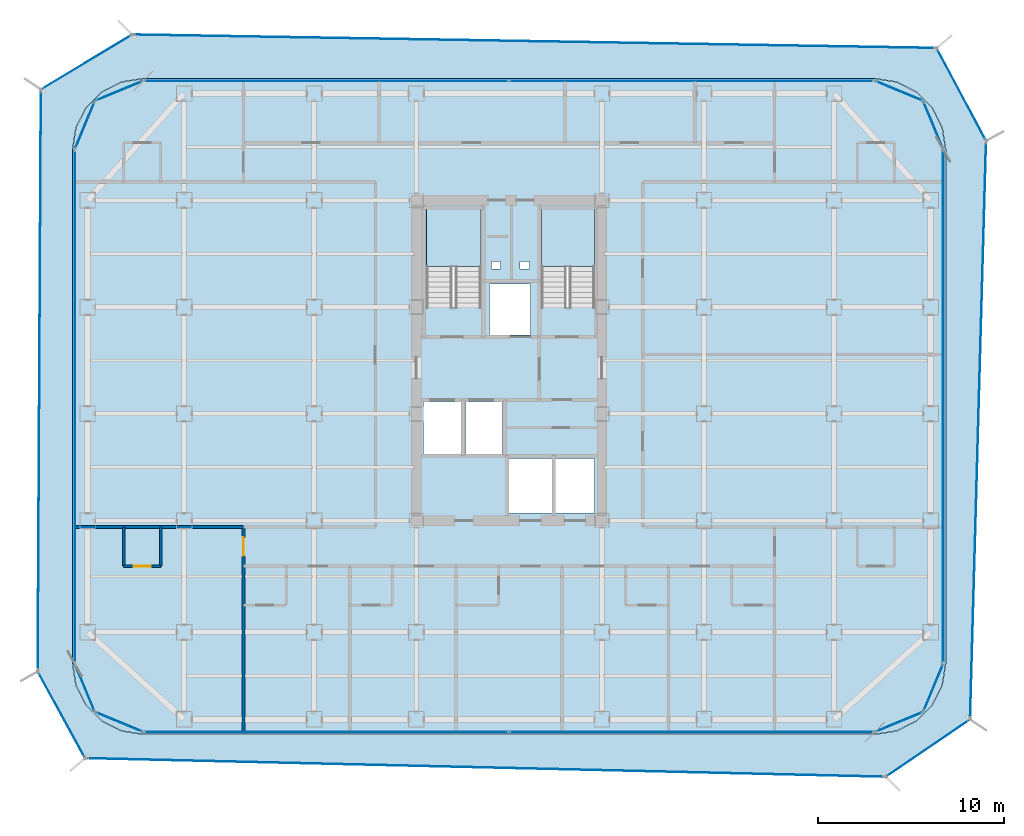
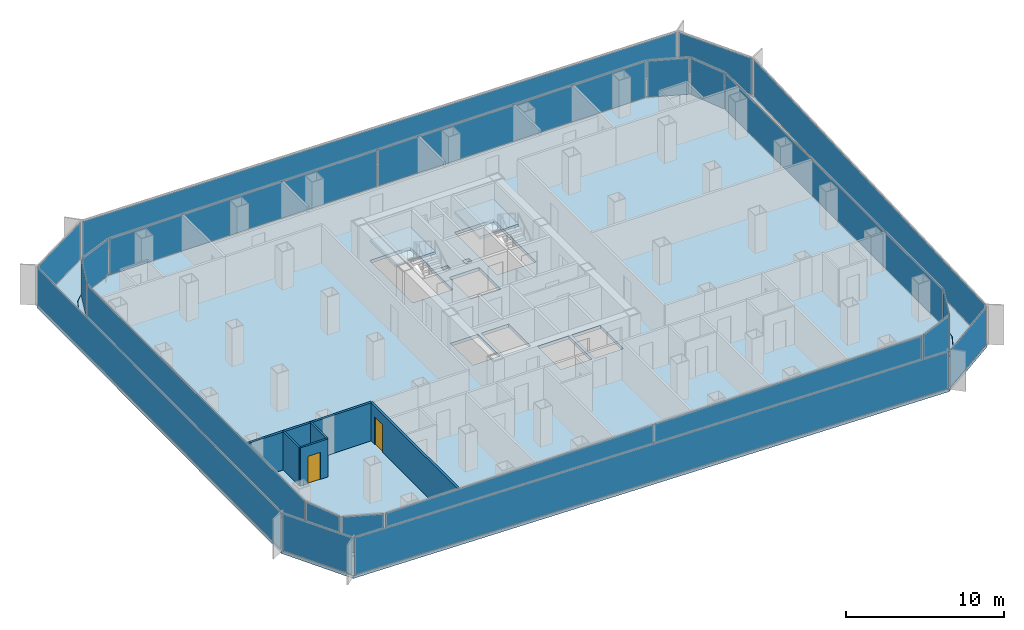
# One storey, part 15 of 21: 22 plates, 5 walls, 4 slabs, 2 doors, 2 openings, 22 elements without a shape of their own.
"""IFC4 building model written with IfcOpenShell, lengths in metres."""

from ifc_helpers import new_model, si_unit, direction, frame, frame_2d, origin, origin_2d, place, context, subcontext, project, spatial, polyline, rectangle, outline, extrude, source, transform, mapped, material, layer, layer_set, type_object, element, fill, aggregate, save


model = new_model("IFC4")

# Units and contexts
model_context = context("Model", 3, precision=1e-05, world=origin(), true_north=direction((0.0, 1.0)))
body_context = subcontext(model_context, "Body", "Model", "MODEL_VIEW")
ifc_project = project(units=[si_unit("LENGTHUNIT", "METRE"), si_unit("AREAUNIT", "SQUARE_METRE"), si_unit("VOLUMEUNIT", "CUBIC_METRE"), si_unit("PLANEANGLEUNIT", "RADIAN"), si_unit("MASSUNIT", "GRAM", prefix="KILO")], contexts=[model_context])

# Site, building, storey
site_placement = place(None, origin())
site = spatial("IfcSite", under=ifc_project, at=site_placement, CompositionType="ELEMENT")
building_placement = place(site_placement, origin())
building = spatial("IfcBuilding", under=site, at=building_placement, Name="Kolveth Station Tower", CompositionType="ELEMENT")
storey_placement = place(building_placement, frame((0.0, 0.0, 102.300048828125)))
storey = spatial("IfcBuildingStorey", under=building, at=storey_placement, Name="L27", CompositionType="ELEMENT", Elevation=102.300048828125)

# Slab
ifc_material_1 = material(Name="Concrete C40/50", Category="concrete")
ifc_layer_1 = layer(ifc_material_1, 0.25)
ifc_layer_set_1 = layer_set([ifc_layer_1], Name="Concrete C40/50")
slab_type_1 = type_object("IfcSlabType", Name="Slab_SF-250", PredefinedType="FLOOR", material=ifc_layer_set_1)
slab_1_placement = place(storey_placement, frame((0.0, 0.0, -0.25)))
element("IfcSlab", 1, at=slab_1_placement, inside=storey, type_object=slab_type_1, Name="L27 Tower Structural Floor Slab", PredefinedType="FLOOR", context=body_context, shape_type="SweptSolid", body=[
    extrude(outline(polyline([(43.199951171875, 0.0), (44.374267578125, 0.18603515625), (45.43359375, 0.7255859375), (46.2744140625, 1.56640625), (46.81396484375, 2.625732421875), (47.0, 3.800048828125), (47.0, 31.5), (46.81396484375, 32.67431640625), (46.2744140625, 33.733642578125), (45.43359375, 34.57421875), (44.374267578125, 35.114013671875), (43.199951171875, 35.300048828125), (3.800048828125, 35.300048828125), (2.625732421875, 35.114013671875), (1.56640625, 34.57421875), (0.7255859375, 33.733642578125), (0.18603515625, 32.67431640625), (0.0, 31.5), (0.0, 3.800048828125), (0.18603515625, 2.625732421875), (0.7255859375, 1.56640625), (1.56640625, 0.7255859375), (2.625732421875, 0.18603515625), (3.800048828125, 0.0), (43.199951171875, 0.0)]), holes=[polyline([(19.0400390625, 22.985107421875), (22.0, 22.985107421875), (22.0, 28.39990234375), (19.0400390625, 28.39990234375), (19.0400390625, 22.985107421875)]), polyline([(25.239990234375, 22.985107421875), (28.10009765625, 22.985107421875), (28.10009765625, 28.39990234375), (25.239990234375, 28.39990234375), (25.239990234375, 22.985107421875)]), polyline([(18.89990234375, 15.10009765625), (20.89990234375, 15.10009765625), (20.89990234375, 17.89990234375), (18.89990234375, 17.89990234375), (18.89990234375, 15.10009765625)]), polyline([(21.14990234375, 15.10009765625), (23.14990234375, 15.10009765625), (23.14990234375, 17.89990234375), (21.14990234375, 17.89990234375), (21.14990234375, 15.10009765625)]), polyline([(22.449951171875, 21.5), (24.64990234375, 21.5), (24.64990234375, 24.25), (22.449951171875, 24.25), (22.449951171875, 21.5)]), polyline([(23.5, 11.89990234375), (25.800048828125, 11.89990234375), (25.800048828125, 14.85009765625), (23.5, 14.85009765625), (23.5, 11.89990234375)]), polyline([(26.0, 11.89990234375), (28.10009765625, 11.89990234375), (28.10009765625, 14.85009765625), (26.0, 14.85009765625), (26.0, 11.89990234375)]), polyline([(22.550048828125, 25.050048828125), (23.050048828125, 25.050048828125), (23.050048828125, 25.449951171875), (22.550048828125, 25.449951171875), (22.550048828125, 25.050048828125)]), polyline([(24.10009765625, 25.050048828125), (24.60009765625, 25.050048828125), (24.60009765625, 25.449951171875), (24.10009765625, 25.449951171875), (24.10009765625, 25.050048828125)])]), origin(), (0.0, 0.0, 1.0), 0.25),
])

# Stair, slab
stair_type_1 = type_object("IfcStairType", Name="Stair_ST2", PredefinedType="HALF_TURN_STAIR", material=ifc_material_1)
stair_1_placement = place(storey_placement, origin())
stair_1 = element("IfcStair", 2, at=stair_1_placement, inside=storey, type_object=stair_type_1, Name="L27 Tower Exit Stair ST2", PredefinedType="HALF_TURN_STAIR")
ifc_layer_2 = layer(ifc_material_1, 0.18994140625)
ifc_layer_set_2 = layer_set([ifc_layer_2], Name="Concrete C40/50")
slab_type_2 = type_object("IfcSlabType", Name="Slab_SL-190", PredefinedType="LANDING", material=ifc_layer_set_2)
slab_2_placement = place(storey_placement, frame((0.0, 0.0, 1.39990234375)))
slab_2 = element("IfcSlab", 3, at=slab_2_placement, type_object=slab_type_2, Name="ST2 landing 1", PredefinedType="LANDING", context=body_context, shape_type="SweptSolid", body=[
    extrude(outline(polyline([(28.10009765625, 25.18994140625), (28.10009765625, 28.39990234375), (25.239990234375, 28.39990234375), (25.239990234375, 25.18994140625), (28.10009765625, 25.18994140625)])), origin(), (0.0, 0.0, 1.0), 0.199951171875),
])
aggregate(stair_1, [slab_2])

stair_type_2 = type_object("IfcStairType", Name="Stair_ST1", PredefinedType="HALF_TURN_STAIR", material=ifc_material_1)
stair_2_placement = place(storey_placement, origin())
stair_2 = element("IfcStair", 4, at=stair_2_placement, inside=storey, type_object=stair_type_2, Name="L27 Tower Exit Stair ST1", PredefinedType="HALF_TURN_STAIR")
ifc_layer_3 = layer(ifc_material_1, 0.205078125)
ifc_layer_set_3 = layer_set([ifc_layer_3], Name="Concrete C40/50")
slab_type_3 = type_object("IfcSlabType", Name="Slab_SL-205", PredefinedType="LANDING", material=ifc_layer_set_3)
slab_3_placement = place(storey_placement, frame((0.0, 0.0, 1.39990234375)))
slab_3 = element("IfcSlab", 5, at=slab_3_placement, type_object=slab_type_3, Name="ST1 landing 1", PredefinedType="LANDING", context=body_context, shape_type="SweptSolid", body=[
    extrude(outline(polyline([(22.0, 25.18994140625), (22.0, 28.39990234375), (19.0400390625, 28.39990234375), (19.0400390625, 25.18994140625), (22.0, 25.18994140625)])), origin(), (0.0, 0.0, 1.0), 0.199951171875),
])
aggregate(stair_2, [slab_3])

# Slab
ifc_layer_4 = layer(ifc_material_1, 0.2099609375)
ifc_layer_set_4 = layer_set([ifc_layer_4], Name="Concrete C40/50")
slab_type_4 = type_object("IfcSlabType", Name="Slab_ST-210", PredefinedType="FLOOR", material=ifc_layer_set_4)
slab_4_placement = place(storey_placement, frame((0.0, 0.0, -0.2099609375)))
element("IfcSlab", 6, at=slab_4_placement, inside=storey, type_object=slab_type_4, Name="L27 Double-Skin Cavity Structural Ledger Ring", PredefinedType="FLOOR", context=body_context, shape_type="SweptSolid", body=[
    extrude(outline(polyline([(0.6787109375, -1.293701171875), (-1.877197265625, 3.384033203125), (-1.705810546875, 34.716064453125), (3.208984375, 37.673095703125), (46.52392578125, 36.948974609375), (49.189697265625, 31.955322265625), (48.327880859375, 0.801513671875), (43.781494140625, -2.29541015625), (0.6787109375, -1.293701171875)]), holes=[polyline([(43.202392578125, -0.014892578125), (44.376708984375, 0.171142578125), (44.381103515625, 0.172607421875), (45.4404296875, 0.71240234375), (45.444091796875, 0.715087890625), (46.284912109375, 1.555908203125), (46.28759765625, 1.5595703125), (46.827392578125, 2.618896484375), (46.828857421875, 2.623291015625), (47.014892578125, 3.797607421875), (47.014892578125, 3.800048828125), (47.014892578125, 31.5), (47.014892578125, 31.502197265625), (46.828857421875, 32.676513671875), (46.827392578125, 32.68115234375), (46.28759765625, 33.740478515625), (46.284912109375, 33.744140625), (45.444091796875, 34.5849609375), (45.4404296875, 34.587646484375), (44.381103515625, 35.12744140625), (44.376708984375, 35.12890625), (43.202392578125, 35.314697265625), (43.199951171875, 35.31494140625), (3.800048828125, 35.31494140625), (3.797607421875, 35.314697265625), (2.623291015625, 35.12890625), (2.618896484375, 35.12744140625), (1.5595703125, 34.587646484375), (1.555908203125, 34.5849609375), (0.715087890625, 33.744140625), (0.71240234375, 33.740478515625), (0.172607421875, 32.68115234375), (0.171142578125, 32.676513671875), (-0.014892578125, 31.502197265625), (-0.014892578125, 31.5), (-0.014892578125, 3.800048828125), (-0.014892578125, 3.797607421875), (0.171142578125, 2.623291015625), (0.172607421875, 2.618896484375), (0.71240234375, 1.5595703125), (0.715087890625, 1.555908203125), (1.555908203125, 0.715087890625), (1.5595703125, 0.71240234375), (2.618896484375, 0.172607421875), (2.623291015625, 0.171142578125), (3.797607421875, -0.014892578125), (3.800048828125, -0.014892578125), (43.199951171875, -0.014892578125), (43.202392578125, -0.014892578125)])]), origin(), (0.0, 0.0, 1.0), 0.2099609375),
])

# Curtain wall, plate
ifc_material_2 = material(Name="Aluminium 6063-T6 and low-E dark glass", Category="aluminium")
ifc_layer_5 = layer(ifc_material_2, 0.18994140625)
ifc_layer_set_5 = layer_set([ifc_layer_5], Name="Aluminium 6063-T6 and low-E dark glass")
curtain_wall_type_1 = type_object("IfcCurtainWallType", Name="CurtainWall_CW-Z2", PredefinedType="NOTDEFINED", material=ifc_layer_set_5)
curtain_wall_1_placement = place(storey_placement, origin())
curtain_wall_1 = element("IfcCurtainWall", 7, at=curtain_wall_1_placement, inside=storey, type_object=curtain_wall_type_1, Name="L27 Inner Thermal Curtain Wall 1", PredefinedType="NOTDEFINED")
ifc_material_3 = material(Name="Architectural low-E dark glass", Category="glass")
ifc_layer_6 = layer(ifc_material_3, 0.0380859375)
ifc_layer_set_6 = layer_set([ifc_layer_6], Name="Architectural low-E dark glass")
plate_type_1 = type_object("IfcPlateType", Name="Panel_GL2", PredefinedType="CURTAIN_PANEL", material=ifc_layer_set_6)
shared_shape_1 = source(origin(), body_context, "Body", "SweptSolid", [
    extrude(rectangle(XDim=2.670654296875, YDim=0.0380859375, at=origin_2d()), origin(), (0.0, 0.0, 1.0), 2.803955078125),
])
plate_1_placement = place(storey_placement, frame((44.501220703125, 0.658935546875, 0.07275390625), z_axis=(0.0, 0.0, 1.0), x_axis=(0.923887883787, 0.38266326998, 0.0)))
plate_1 = element("IfcPlate", 8, at=plate_1_placement, type_object=plate_type_1, Name="CW-Z2 panel 1.1", PredefinedType="CURTAIN_PANEL", context=body_context, shape_type="MappedRepresentation", body=[
    mapped(shared_shape_1, transform((0.0, 0.0, 0.0), x_axis=(1.0, 0.0, 0.0), y_axis=(0.0, 1.0, 0.0), z_axis=(0.0, 0.0, 1.0), scale=1.0)),
])
aggregate(curtain_wall_1, [plate_1])

curtain_wall_2_placement = place(storey_placement, origin())
curtain_wall_2 = element("IfcCurtainWall", 9, at=curtain_wall_2_placement, inside=storey, type_object=curtain_wall_type_1, Name="L27 Inner Thermal Curtain Wall 2", PredefinedType="NOTDEFINED")
plate_2_placement = place(storey_placement, frame((46.341064453125, 2.498779296875, 0.07275390625), z_axis=(0.0, 0.0, 1.0), x_axis=(0.38266326998, 0.923887883787, 0.0)))
plate_2 = element("IfcPlate", 10, at=plate_2_placement, type_object=plate_type_1, Name="CW-Z2 panel 1.1", PredefinedType="CURTAIN_PANEL", context=body_context, shape_type="MappedRepresentation", body=[
    mapped(shared_shape_1, transform((0.0, 0.0, 0.0), x_axis=(1.0, 0.0, 0.0), y_axis=(0.0, 1.0, 0.0), z_axis=(0.0, 0.0, 1.0), scale=1.0)),
])
aggregate(curtain_wall_2, [plate_2])

curtain_wall_3_placement = place(storey_placement, origin())
curtain_wall_3 = element("IfcCurtainWall", 11, at=curtain_wall_3_placement, inside=storey, type_object=curtain_wall_type_1, Name="L27 Inner Thermal Curtain Wall 4", PredefinedType="NOTDEFINED")
plate_3_placement = place(storey_placement, frame((46.341064453125, 32.801025390625, 0.07275390625), z_axis=(0.0, 0.0, 1.0), x_axis=(-0.38266326998, 0.923887883787, 0.0)))
plate_3 = element("IfcPlate", 12, at=plate_3_placement, type_object=plate_type_1, Name="CW-Z2 panel 1.1", PredefinedType="CURTAIN_PANEL", context=body_context, shape_type="MappedRepresentation", body=[
    mapped(shared_shape_1, transform((0.0, 0.0, 0.0), x_axis=(1.0, 0.0, 0.0), y_axis=(0.0, 1.0, 0.0), z_axis=(0.0, 0.0, 1.0), scale=1.0)),
])
aggregate(curtain_wall_3, [plate_3])

curtain_wall_4_placement = place(storey_placement, origin())
curtain_wall_4 = element("IfcCurtainWall", 13, at=curtain_wall_4_placement, inside=storey, type_object=curtain_wall_type_1, Name="L27 Inner Thermal Curtain Wall 5", PredefinedType="NOTDEFINED")
plate_4_placement = place(storey_placement, frame((44.501220703125, 34.64111328125, 0.07275390625), z_axis=(0.0, 0.0, 1.0), x_axis=(-0.923887883787, 0.38266326998, 0.0)))
plate_4 = element("IfcPlate", 14, at=plate_4_placement, type_object=plate_type_1, Name="CW-Z2 panel 1.1", PredefinedType="CURTAIN_PANEL", context=body_context, shape_type="MappedRepresentation", body=[
    mapped(shared_shape_1, transform((0.0, 0.0, 0.0), x_axis=(1.0, 0.0, 0.0), y_axis=(0.0, 1.0, 0.0), z_axis=(0.0, 0.0, 1.0), scale=1.0)),
])
aggregate(curtain_wall_4, [plate_4])

curtain_wall_5_placement = place(storey_placement, origin())
curtain_wall_5 = element("IfcCurtainWall", 15, at=curtain_wall_5_placement, inside=storey, type_object=curtain_wall_type_1, Name="L27 Inner Thermal Curtain Wall 7", PredefinedType="NOTDEFINED")
plate_5_placement = place(storey_placement, frame((2.498779296875, 34.64111328125, 0.07275390625), z_axis=(0.0, 0.0, 1.0), x_axis=(-0.923887883787, -0.38266326998, 0.0)))
plate_5 = element("IfcPlate", 16, at=plate_5_placement, type_object=plate_type_1, Name="CW-Z2 panel 1.1", PredefinedType="CURTAIN_PANEL", context=body_context, shape_type="MappedRepresentation", body=[
    mapped(shared_shape_1, transform((0.0, 0.0, 0.0), x_axis=(1.0, 0.0, 0.0), y_axis=(0.0, 1.0, 0.0), z_axis=(0.0, 0.0, 1.0), scale=1.0)),
])
aggregate(curtain_wall_5, [plate_5])

curtain_wall_6_placement = place(storey_placement, origin())
curtain_wall_6 = element("IfcCurtainWall", 17, at=curtain_wall_6_placement, inside=storey, type_object=curtain_wall_type_1, Name="L27 Inner Thermal Curtain Wall 8", PredefinedType="NOTDEFINED")
plate_6_placement = place(storey_placement, frame((0.658935546875, 32.801025390625, 0.07275390625), z_axis=(0.0, 0.0, 1.0), x_axis=(-0.38266326998, -0.923887883787, 0.0)))
plate_6 = element("IfcPlate", 18, at=plate_6_placement, type_object=plate_type_1, Name="CW-Z2 panel 1.1", PredefinedType="CURTAIN_PANEL", context=body_context, shape_type="MappedRepresentation", body=[
    mapped(shared_shape_1, transform((0.0, 0.0, 0.0), x_axis=(1.0, 0.0, 0.0), y_axis=(0.0, 1.0, 0.0), z_axis=(0.0, 0.0, 1.0), scale=1.0)),
])
aggregate(curtain_wall_6, [plate_6])

curtain_wall_7_placement = place(storey_placement, origin())
curtain_wall_7 = element("IfcCurtainWall", 19, at=curtain_wall_7_placement, inside=storey, type_object=curtain_wall_type_1, Name="L27 Inner Thermal Curtain Wall 10", PredefinedType="NOTDEFINED")
plate_7_placement = place(storey_placement, frame((0.658935546875, 2.498779296875, 0.07275390625), z_axis=(0.0, 0.0, 1.0), x_axis=(0.38266326998, -0.923887883787, 0.0)))
plate_7 = element("IfcPlate", 20, at=plate_7_placement, type_object=plate_type_1, Name="CW-Z2 panel 1.1", PredefinedType="CURTAIN_PANEL", context=body_context, shape_type="MappedRepresentation", body=[
    mapped(shared_shape_1, transform((0.0, 0.0, 0.0), x_axis=(1.0, 0.0, 0.0), y_axis=(0.0, 1.0, 0.0), z_axis=(0.0, 0.0, 1.0), scale=1.0)),
])
aggregate(curtain_wall_7, [plate_7])

curtain_wall_8_placement = place(storey_placement, origin())
curtain_wall_8 = element("IfcCurtainWall", 21, at=curtain_wall_8_placement, inside=storey, type_object=curtain_wall_type_1, Name="L27 Inner Thermal Curtain Wall 11", PredefinedType="NOTDEFINED")
plate_8_placement = place(storey_placement, frame((2.498779296875, 0.658935546875, 0.07275390625), z_axis=(0.0, 0.0, 1.0), x_axis=(0.923887883787, -0.38266326998, 0.0)))
plate_8 = element("IfcPlate", 22, at=plate_8_placement, type_object=plate_type_1, Name="CW-Z2 panel 1.1", PredefinedType="CURTAIN_PANEL", context=body_context, shape_type="MappedRepresentation", body=[
    mapped(shared_shape_1, transform((0.0, 0.0, 0.0), x_axis=(1.0, 0.0, 0.0), y_axis=(0.0, 1.0, 0.0), z_axis=(0.0, 0.0, 1.0), scale=1.0)),
])
aggregate(curtain_wall_8, [plate_8])

curtain_wall_9_placement = place(storey_placement, origin())
curtain_wall_9 = element("IfcCurtainWall", 23, at=curtain_wall_9_placement, inside=storey, type_object=curtain_wall_type_1, Name="L27 Inner Thermal Curtain Wall 3", PredefinedType="NOTDEFINED")
shared_shape_2 = source(origin(), body_context, "Body", "SweptSolid", [
    extrude(rectangle(XDim=27.553955078125, YDim=0.0380859375, at=origin_2d()), origin(), (0.0, 0.0, 1.0), 2.803955078125),
])
plate_9_placement = place(storey_placement, frame((46.8798828125, 17.64990234375, 0.07275390625), z_axis=(0.0, 0.0, 1.0), x_axis=(0.0, 1.0, 0.0)))
plate_9 = element("IfcPlate", 24, at=plate_9_placement, type_object=plate_type_1, Name="CW-Z2 panel 1.1", PredefinedType="CURTAIN_PANEL", context=body_context, shape_type="MappedRepresentation", body=[
    mapped(shared_shape_2, transform((0.0, 0.0, 0.0), x_axis=(1.0, 0.0, 0.0), y_axis=(0.0, 1.0, 0.0), z_axis=(0.0, 0.0, 1.0), scale=1.0)),
])
aggregate(curtain_wall_9, [plate_9])

curtain_wall_10_placement = place(storey_placement, origin())
curtain_wall_10 = element("IfcCurtainWall", 25, at=curtain_wall_10_placement, inside=storey, type_object=curtain_wall_type_1, Name="L27 Inner Thermal Curtain Wall 9", PredefinedType="NOTDEFINED")
plate_10_placement = place(storey_placement, frame((0.1201171875, 17.64990234375, 0.07275390625), z_axis=(0.0, 0.0, 1.0), x_axis=(0.0, -1.0, 0.0)))
plate_10 = element("IfcPlate", 26, at=plate_10_placement, type_object=plate_type_1, Name="CW-Z2 panel 1.1", PredefinedType="CURTAIN_PANEL", context=body_context, shape_type="MappedRepresentation", body=[
    mapped(shared_shape_2, transform((0.0, 0.0, 0.0), x_axis=(1.0, 0.0, 0.0), y_axis=(0.0, 1.0, 0.0), z_axis=(0.0, 0.0, 1.0), scale=1.0)),
])
aggregate(curtain_wall_10, [plate_10])

# Curtain wall, plates
curtain_wall_11_placement = place(storey_placement, origin())
curtain_wall_11 = element("IfcCurtainWall", 27, at=curtain_wall_11_placement, inside=storey, type_object=curtain_wall_type_1, Name="L27 Inner Thermal Curtain Wall 6", PredefinedType="NOTDEFINED")
shared_shape_3 = source(origin(), body_context, "Body", "SweptSolid", [
    extrude(rectangle(XDim=19.593994140625, YDim=0.0380859375, at=origin_2d()), origin(), (0.0, 0.0, 1.0), 2.803955078125),
])
plate_11_placement = place(storey_placement, frame((33.330078125, 35.179931640625, 0.07275390625), z_axis=(0.0, 0.0, 1.0), x_axis=(-1.0, 0.0, 0.0)))
plate_11 = element("IfcPlate", 28, at=plate_11_placement, type_object=plate_type_1, Name="CW-Z2 panel 1.1", PredefinedType="CURTAIN_PANEL", context=body_context, shape_type="MappedRepresentation", body=[
    mapped(shared_shape_3, transform((0.0, 0.0, 0.0), x_axis=(1.0, 0.0, 0.0), y_axis=(0.0, 1.0, 0.0), z_axis=(0.0, 0.0, 1.0), scale=1.0)),
])
plate_12_placement = place(storey_placement, frame((13.669921875, 35.179931640625, 0.07275390625), z_axis=(0.0, 0.0, 1.0), x_axis=(-1.0, 0.0, 0.0)))
plate_12 = element("IfcPlate", 29, at=plate_12_placement, type_object=plate_type_1, Name="CW-Z2 panel 2.1", PredefinedType="CURTAIN_PANEL", context=body_context, shape_type="MappedRepresentation", body=[
    mapped(shared_shape_3, transform((0.0, 0.0, 0.0), x_axis=(1.0, 0.0, 0.0), y_axis=(0.0, 1.0, 0.0), z_axis=(0.0, 0.0, 1.0), scale=1.0)),
])
aggregate(curtain_wall_11, [plate_11, plate_12])

curtain_wall_12_placement = place(storey_placement, origin())
curtain_wall_12 = element("IfcCurtainWall", 30, at=curtain_wall_12_placement, inside=storey, type_object=curtain_wall_type_1, Name="L27 Inner Thermal Curtain Wall 12", PredefinedType="NOTDEFINED")
plate_13_placement = place(storey_placement, frame((13.669921875, 0.1201171875, 0.07275390625), z_axis=(0.0, 0.0, 1.0), x_axis=(1.0, 0.0, 0.0)))
plate_13 = element("IfcPlate", 31, at=plate_13_placement, type_object=plate_type_1, Name="CW-Z2 panel 1.1", PredefinedType="CURTAIN_PANEL", context=body_context, shape_type="MappedRepresentation", body=[
    mapped(shared_shape_3, transform((0.0, 0.0, 0.0), x_axis=(1.0, 0.0, 0.0), y_axis=(0.0, 1.0, 0.0), z_axis=(0.0, 0.0, 1.0), scale=1.0)),
])
plate_14_placement = place(storey_placement, frame((33.330078125, 0.1201171875, 0.07275390625), z_axis=(0.0, 0.0, 1.0), x_axis=(1.0, 0.0, 0.0)))
plate_14 = element("IfcPlate", 32, at=plate_14_placement, type_object=plate_type_1, Name="CW-Z2 panel 2.1", PredefinedType="CURTAIN_PANEL", context=body_context, shape_type="MappedRepresentation", body=[
    mapped(shared_shape_3, transform((0.0, 0.0, 0.0), x_axis=(1.0, 0.0, 0.0), y_axis=(0.0, 1.0, 0.0), z_axis=(0.0, 0.0, 1.0), scale=1.0)),
])
aggregate(curtain_wall_12, [plate_13, plate_14])

# Curtain wall, plate
ifc_material_4 = material(Name="Black anodized aluminium 6063-T6 and dark solar glass", Category="aluminium")
ifc_layer_7 = layer(ifc_material_4, 0.159912109375)
ifc_layer_set_7 = layer_set([ifc_layer_7], Name="Black anodized aluminium 6063-T6 and dark solar glass")
curtain_wall_type_2 = type_object("IfcCurtainWallType", Name="OUTER SKIN CW-OS", PredefinedType="NOTDEFINED", material=ifc_layer_set_7)
curtain_wall_13_placement = place(storey_placement, origin())
curtain_wall_13 = element("IfcCurtainWall", 33, at=curtain_wall_13_placement, inside=storey, type_object=curtain_wall_type_2, Name="L27 Outer Ventilated Skin Curtain Wall 1", PredefinedType="NOTDEFINED")
ifc_layer_8 = layer(ifc_material_3, 0.028076171875)
ifc_layer_set_8 = layer_set([ifc_layer_8], Name="Architectural low-E dark glass")
plate_type_2 = type_object("IfcPlateType", Name="Panel_GL-OS", PredefinedType="CURTAIN_PANEL", material=ifc_layer_set_8)
shared_shape_4 = source(origin(), body_context, "Body", "SweptSolid", [
    extrude(rectangle(XDim=5.335205078125, YDim=0.028076171875, at=origin_2d()), origin(), (0.0, 0.0, 1.0), 2.843994140625),
])
plate_15_placement = place(storey_placement, frame((46.0546875, -0.746826171875, 0.07275390625), z_axis=(0.0, 0.0, 1.0), x_axis=(0.826485697742, 0.562957717264, 0.0)))
plate_15 = element("IfcPlate", 34, at=plate_15_placement, type_object=plate_type_2, Name="CW-OS panel 1.1", PredefinedType="CURTAIN_PANEL", context=body_context, shape_type="MappedRepresentation", body=[
    mapped(shared_shape_4, transform((0.0, 0.0, 0.0), x_axis=(1.0, 0.0, 0.0), y_axis=(0.0, 1.0, 0.0), z_axis=(0.0, 0.0, 1.0), scale=1.0)),
])
aggregate(curtain_wall_13, [plate_15])

curtain_wall_14_placement = place(storey_placement, origin())
curtain_wall_14 = element("IfcCurtainWall", 35, at=curtain_wall_14_placement, inside=storey, type_object=curtain_wall_type_2, Name="L27 Outer Ventilated Skin Curtain Wall 2", PredefinedType="NOTDEFINED")
shared_shape_5 = source(origin(), body_context, "Body", "SweptSolid", [
    extrude(rectangle(XDim=30.999755859375, YDim=0.028076171875, at=origin_2d()), origin(), (0.0, 0.0, 1.0), 2.843994140625),
])
plate_16_placement = place(storey_placement, frame((48.7587890625, 16.37841796875, 0.07275390625), z_axis=(0.0, 0.0, 1.0), x_axis=(0.027648972742, 0.999617694074, 0.0)))
plate_16 = element("IfcPlate", 36, at=plate_16_placement, type_object=plate_type_2, Name="CW-OS panel 1.1", PredefinedType="CURTAIN_PANEL", context=body_context, shape_type="MappedRepresentation", body=[
    mapped(shared_shape_5, transform((0.0, 0.0, 0.0), x_axis=(1.0, 0.0, 0.0), y_axis=(0.0, 1.0, 0.0), z_axis=(0.0, 0.0, 1.0), scale=1.0)),
])
aggregate(curtain_wall_14, [plate_16])

curtain_wall_15_placement = place(storey_placement, origin())
curtain_wall_15 = element("IfcCurtainWall", 37, at=curtain_wall_15_placement, inside=storey, type_object=curtain_wall_type_2, Name="L27 Outer Ventilated Skin Curtain Wall 3", PredefinedType="NOTDEFINED")
shared_shape_6 = source(origin(), body_context, "Body", "SweptSolid", [
    extrude(rectangle(XDim=5.49462890625, YDim=0.028076171875, at=origin_2d()), origin(), (0.0, 0.0, 1.0), 2.843994140625),
])
plate_17_placement = place(storey_placement, frame((47.85693359375, 34.4521484375, 0.07275390625), z_axis=(0.0, 0.0, 1.0), x_axis=(-0.470924712392, 0.882173404302, 0.0)))
plate_17 = element("IfcPlate", 38, at=plate_17_placement, type_object=plate_type_2, Name="CW-OS panel 1.1", PredefinedType="CURTAIN_PANEL", context=body_context, shape_type="MappedRepresentation", body=[
    mapped(shared_shape_6, transform((0.0, 0.0, 0.0), x_axis=(1.0, 0.0, 0.0), y_axis=(0.0, 1.0, 0.0), z_axis=(0.0, 0.0, 1.0), scale=1.0)),
])
aggregate(curtain_wall_15, [plate_17])

curtain_wall_16_placement = place(storey_placement, origin())
curtain_wall_16 = element("IfcCurtainWall", 39, at=curtain_wall_16_placement, inside=storey, type_object=curtain_wall_type_2, Name="L27 Outer Ventilated Skin Curtain Wall 4", PredefinedType="NOTDEFINED")
shared_shape_7 = source(origin(), body_context, "Body", "SweptSolid", [
    extrude(rectangle(XDim=43.1552734375, YDim=0.028076171875, at=origin_2d()), origin(), (0.0, 0.0, 1.0), 2.843994140625),
])
plate_18_placement = place(storey_placement, frame((24.866455078125, 37.31103515625, 0.07275390625), z_axis=(0.0, 0.0, 1.0), x_axis=(-0.999860338242, 0.016712390947, 0.0)))
plate_18 = element("IfcPlate", 40, at=plate_18_placement, type_object=plate_type_2, Name="CW-OS panel 1.1", PredefinedType="CURTAIN_PANEL", context=body_context, shape_type="MappedRepresentation", body=[
    mapped(shared_shape_7, transform((0.0, 0.0, 0.0), x_axis=(1.0, 0.0, 0.0), y_axis=(0.0, 1.0, 0.0), z_axis=(0.0, 0.0, 1.0), scale=1.0)),
])
aggregate(curtain_wall_16, [plate_18])

curtain_wall_17_placement = place(storey_placement, origin())
curtain_wall_17 = element("IfcCurtainWall", 41, at=curtain_wall_17_placement, inside=storey, type_object=curtain_wall_type_2, Name="L27 Outer Ventilated Skin Curtain Wall 5", PredefinedType="NOTDEFINED")
shared_shape_8 = source(origin(), body_context, "Body", "SweptSolid", [
    extrude(rectangle(XDim=5.56982421875, YDim=0.028076171875, at=origin_2d()), origin(), (0.0, 0.0, 1.0), 2.843994140625),
])
plate_19_placement = place(storey_placement, frame((0.75146484375, 36.194580078125, 0.07275390625), z_axis=(0.0, 0.0, 1.0), x_axis=(-0.856867730815, -0.51553631481, 0.0)))
plate_19 = element("IfcPlate", 42, at=plate_19_placement, type_object=plate_type_2, Name="CW-OS panel 1.1", PredefinedType="CURTAIN_PANEL", context=body_context, shape_type="MappedRepresentation", body=[
    mapped(shared_shape_8, transform((0.0, 0.0, 0.0), x_axis=(1.0, 0.0, 0.0), y_axis=(0.0, 1.0, 0.0), z_axis=(0.0, 0.0, 1.0), scale=1.0)),
])
aggregate(curtain_wall_17, [plate_19])

curtain_wall_18_placement = place(storey_placement, origin())
curtain_wall_18 = element("IfcCurtainWall", 43, at=curtain_wall_18_placement, inside=storey, type_object=curtain_wall_type_2, Name="L27 Outer Ventilated Skin Curtain Wall 6", PredefinedType="NOTDEFINED")
shared_shape_9 = source(origin(), body_context, "Body", "SweptSolid", [
    extrude(rectangle(XDim=31.16650390625, YDim=0.028076171875, at=origin_2d()), origin(), (0.0, 0.0, 1.0), 2.843994140625),
])
plate_20_placement = place(storey_placement, frame((-1.79150390625, 19.050048828125, 0.07275390625), z_axis=(0.0, 0.0, 1.0), x_axis=(-0.005463980731, -0.999985072346, 0.0)))
plate_20 = element("IfcPlate", 44, at=plate_20_placement, type_object=plate_type_2, Name="CW-OS panel 1.1", PredefinedType="CURTAIN_PANEL", context=body_context, shape_type="MappedRepresentation", body=[
    mapped(shared_shape_9, transform((0.0, 0.0, 0.0), x_axis=(1.0, 0.0, 0.0), y_axis=(0.0, 1.0, 0.0), z_axis=(0.0, 0.0, 1.0), scale=1.0)),
])
aggregate(curtain_wall_18, [plate_20])

curtain_wall_19_placement = place(storey_placement, origin())
curtain_wall_19 = element("IfcCurtainWall", 45, at=curtain_wall_19_placement, inside=storey, type_object=curtain_wall_type_2, Name="L27 Outer Ventilated Skin Curtain Wall 7", PredefinedType="NOTDEFINED")
shared_shape_10 = source(origin(), body_context, "Body", "SweptSolid", [
    extrude(rectangle(XDim=5.164306640625, YDim=0.028076171875, at=origin_2d()), origin(), (0.0, 0.0, 1.0), 2.843994140625),
])
plate_21_placement = place(storey_placement, frame((-0.59912109375, 1.045166015625, 0.07275390625), z_axis=(0.0, 0.0, 1.0), x_axis=(0.479500014716, -0.877541871302, 0.0)))
plate_21 = element("IfcPlate", 46, at=plate_21_placement, type_object=plate_type_2, Name="CW-OS panel 1.1", PredefinedType="CURTAIN_PANEL", context=body_context, shape_type="MappedRepresentation", body=[
    mapped(shared_shape_10, transform((0.0, 0.0, 0.0), x_axis=(1.0, 0.0, 0.0), y_axis=(0.0, 1.0, 0.0), z_axis=(0.0, 0.0, 1.0), scale=1.0)),
])
aggregate(curtain_wall_19, [plate_21])

curtain_wall_20_placement = place(storey_placement, origin())
curtain_wall_20 = element("IfcCurtainWall", 47, at=curtain_wall_20_placement, inside=storey, type_object=curtain_wall_type_2, Name="L27 Outer Ventilated Skin Curtain Wall 8", PredefinedType="NOTDEFINED")
shared_shape_11 = source(origin(), body_context, "Body", "SweptSolid", [
    extrude(rectangle(XDim=42.9482421875, YDim=0.028076171875, at=origin_2d()), origin(), (0.0, 0.0, 1.0), 2.843994140625),
])
plate_22_placement = place(storey_placement, frame((22.22998046875, -1.79443359375, 0.07275390625), z_axis=(0.0, 0.0, 1.0), x_axis=(0.999730062924, -0.023233624053, 0.0)))
plate_22 = element("IfcPlate", 48, at=plate_22_placement, type_object=plate_type_2, Name="CW-OS panel 1.1", PredefinedType="CURTAIN_PANEL", context=body_context, shape_type="MappedRepresentation", body=[
    mapped(shared_shape_11, transform((0.0, 0.0, 0.0), x_axis=(1.0, 0.0, 0.0), y_axis=(0.0, 1.0, 0.0), z_axis=(0.0, 0.0, 1.0), scale=1.0)),
])
aggregate(curtain_wall_20, [plate_22])

# Walls
ifc_material_5 = material(Name="Moisture-resistant gypsum partition")
ifc_layer_9 = layer(ifc_material_5, 0.135009765625)
ifc_layer_set_9 = layer_set([ifc_layer_9], Name="Moisture-resistant gypsum partition")
wall_type_1 = type_object("IfcWallType", Name="Wall_IW-135", PredefinedType="PARTITIONING", material=ifc_layer_set_9)
for number, where, z_axis, x_axis, name in (
    (49, (2.75, 9.050048828125, 0.0), (0.0, 0.0, 1.0), (0.0, 1.0, 0.0), "L27 Partition Wall WL-L27-WS1-BV1"),
    (50, (4.75, 9.050048828125, 0.0), (0.0, 0.0, 1.0), (0.0, 1.0, 0.0), "L27 Partition Wall WL-L27-WS1-BV2"),
):
    element("IfcWall", number, at=place(storey_placement, frame(where, z_axis=z_axis, x_axis=x_axis)), inside=storey, type_object=wall_type_1, Name=name, PredefinedType="PARTITIONING", context=body_context, shape_type="SweptSolid", body=[
        extrude(rectangle(XDim=2.099853515625, YDim=0.135009765625, at=frame_2d((1.0498046875, 0.0))), origin(), (0.0, 0.0, 1.0), 2.949951171875),
    ])

# Wall, opening, door
wall_1_placement = place(storey_placement, frame((2.75, 9.050048828125, 0.0), z_axis=(0.0, 0.0, 1.0), x_axis=(1.0, 0.0, 0.0)))
wall_1 = element("IfcWall", 51, at=wall_1_placement, inside=storey, type_object=wall_type_1, Name="L27 Partition Wall WL-L27-WS1-BH", PredefinedType="PARTITIONING", context=body_context, shape_type="SweptSolid", body=[
    extrude(rectangle(XDim=2.0, YDim=0.135009765625, at=frame_2d((1.0, 0.0))), origin(), (0.0, 0.0, 1.0), 2.949951171875),
])
opening_1_placement = place(wall_1_placement, frame((0.5400390625, 0.0, 0.0)))
opening_1 = element("IfcOpeningElement", 52, at=opening_1_placement, cuts=wall_1, Name="Opening ID2", PredefinedType="OPENING", context=body_context, shape_type="SweptSolid", body=[
    extrude(rectangle(XDim=0.919921875, YDim=2.10009765625, at=frame_2d((0.4599609375, 1.050048828125))), frame((0.0, 0.077392578125, 0.0), z_axis=(0.0, -1.0, 0.0), x_axis=(1.0, 0.0, 0.0)), (0.0, 0.0, 1.0), 0.155029296875),
])
ifc_material_6 = material(Name="Moisture-resistant hardwood leaf", Category="wood")
door_type_1 = type_object("IfcDoorType", Name="Door_ID2", OperationType="NOTDEFINED", PredefinedType="DOOR", material=ifc_material_6)
door_1_placement = place(opening_1_placement, origin())
door_1 = element("IfcDoor", 53, at=door_1_placement, inside=storey, type_object=door_type_1, Name="L27 Hotel Corner Suite WS1 En-Suite Door", OperationType="SINGLE_SWING_LEFT", OverallHeight=2.10009765625, OverallWidth=0.919921875, PredefinedType="DOOR", context=body_context, shape_type="SweptSolid", body=[
    extrude(rectangle(XDim=0.919921875, YDim=2.10009765625, at=frame_2d((0.4599609375, 1.050048828125))), frame((0.0, 0.02490234375, 0.0), z_axis=(0.0, -1.0, 0.0), x_axis=(1.0, 0.0, 0.0)), (0.0, 0.0, 1.0), 0.050048828125),
])
fill(opening_1, door_1)

ifc_material_7 = material(Name="Acoustic double-stud gypsum partition")
ifc_layer_10 = layer(ifc_material_7, 0.1650390625)
ifc_layer_set_10 = layer_set([ifc_layer_10], Name="Acoustic double-stud gypsum partition")
wall_type_2 = type_object("IfcWallType", Name="Wall_IW-165", PredefinedType="PARTITIONING", material=ifc_layer_set_10)
wall_2_placement = place(storey_placement, frame((9.199951171875, 0.159912109375, 0.0), z_axis=(0.0, 0.0, 1.0), x_axis=(0.0, 1.0, 0.0)))
wall_2 = element("IfcWall", 54, at=wall_2_placement, inside=storey, type_object=wall_type_2, Name="L27 Partition Wall WL-L27-END-WS", PredefinedType="PARTITIONING", context=body_context, shape_type="SweptSolid", body=[
    extrude(rectangle(XDim=10.989990234375, YDim=0.1650390625, at=frame_2d((5.4951171875, 0.0))), origin(), (0.0, 0.0, 1.0), 2.949951171875),
])
opening_2_placement = place(wall_2_placement, frame((9.43994140625, 0.0, 0.0)))
opening_2 = element("IfcOpeningElement", 55, at=opening_2_placement, cuts=wall_2, Name="Opening FD3", PredefinedType="OPENING", context=body_context, shape_type="SweptSolid", body=[
    extrude(rectangle(XDim=1.0, YDim=2.14990234375, at=frame_2d((0.5, 1.074951171875))), frame((0.0, 0.092529296875, 0.0), z_axis=(0.0, -1.0, 0.0), x_axis=(1.0, 0.0, 0.0)), (0.0, 0.0, 1.0), 0.18505859375),
])
ifc_material_8 = material(Name="Fire-rated hardwood leaf and aluminium frame", Category="wood")
door_type_2 = type_object("IfcDoorType", Name="Door_FD3", OperationType="NOTDEFINED", PredefinedType="DOOR", material=ifc_material_8)
door_2_placement = place(opening_2_placement, origin())
door_2 = element("IfcDoor", 56, at=door_2_placement, inside=storey, type_object=door_type_2, Name="L27 Hotel Corner Suite WS1 Entrance Door", OperationType="SINGLE_SWING_LEFT", OverallHeight=2.14990234375, OverallWidth=1.0, PredefinedType="DOOR", context=body_context, shape_type="SweptSolid", body=[
    extrude(rectangle(XDim=1.0, YDim=2.14990234375, at=frame_2d((0.5, 1.074951171875))), frame((0.0, 0.02490234375, 0.0), z_axis=(0.0, -1.0, 0.0), x_axis=(1.0, 0.0, 0.0)), (0.0, 0.0, 1.0), 0.050048828125),
])
fill(opening_2, door_2)

# Wall
wall_3_placement = place(storey_placement, frame((0.159912109375, 11.14990234375, 0.0), z_axis=(0.0, 0.0, 1.0), x_axis=(1.0, 0.0, 0.0)))
element("IfcWall", 57, at=wall_3_placement, inside=storey, type_object=wall_type_2, Name="L27 Partition Wall WL-L27-WM1", PredefinedType="PARTITIONING", context=body_context, shape_type="SweptSolid", body=[
    extrude(rectangle(XDim=9.0400390625, YDim=0.1650390625, at=frame_2d((4.52001953125, 0.0))), origin(), (0.0, 0.0, 1.0), 2.949951171875),
])

save(model, "model.ifc")
